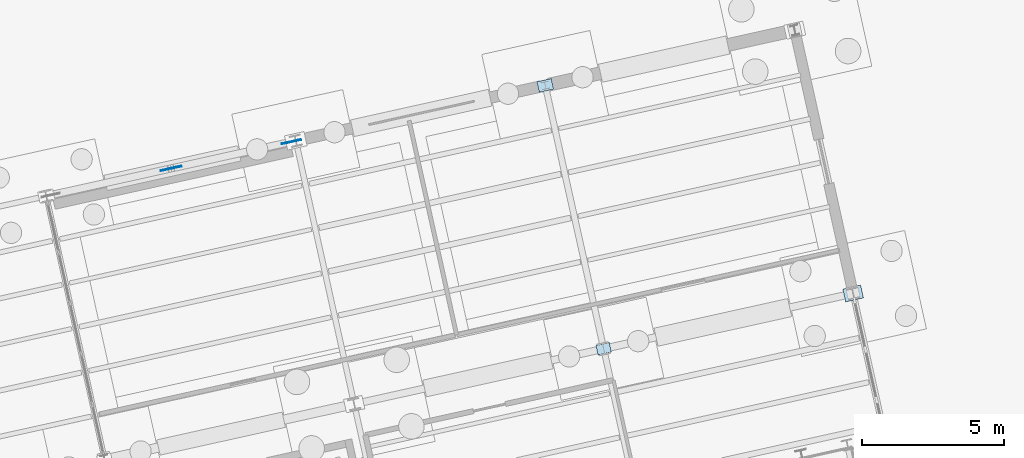
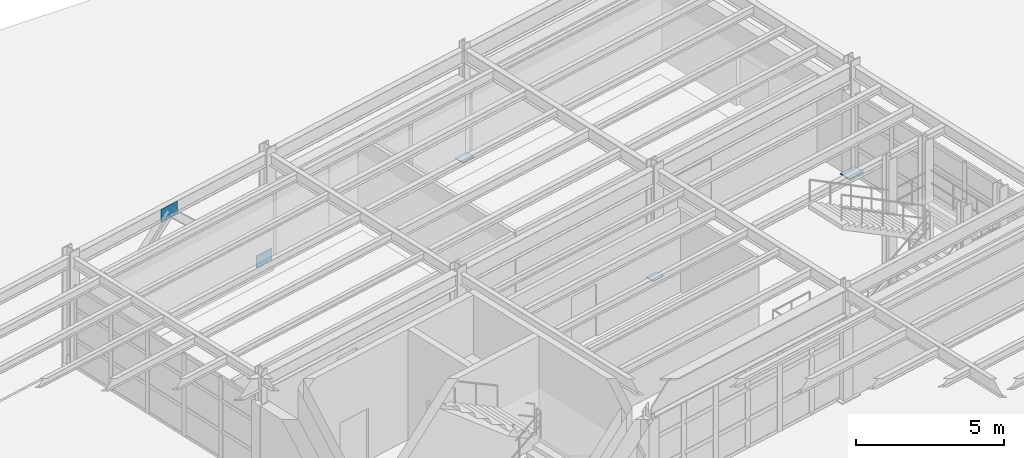
# One storey, part 83 of 108: 5 plates.
"""IFC4 building model written with IfcOpenShell, lengths in metres."""

from ifc_helpers import new_model, si_unit, direction, frame, origin, origin_2d, place, context, subcontext, project, spatial, rectangle, extrude, material, layer, layer_set, type_object, element, save


model = new_model("IFC4")

# Units and contexts
model_context = context("Model", 3, precision=1e-05, world=origin(), true_north=direction((0.0, 1.0)))
body_context = subcontext(model_context, "Body", "Model", "MODEL_VIEW")
ifc_project = project(units=[si_unit("LENGTHUNIT", "METRE"), si_unit("AREAUNIT", "SQUARE_METRE"), si_unit("VOLUMEUNIT", "CUBIC_METRE"), si_unit("PLANEANGLEUNIT", "RADIAN"), si_unit("MASSUNIT", "GRAM", prefix="KILO")], contexts=[model_context])

# Site, building, storey
site_placement = place(None, origin())
site = spatial("IfcSite", under=ifc_project, at=site_placement, CompositionType="ELEMENT")
building_placement = place(site_placement, origin())
building = spatial("IfcBuilding", under=site, at=building_placement, Name="Vireo Bluff Cable Station", CompositionType="ELEMENT")
storey_placement = place(building_placement, origin())
storey = spatial("IfcBuildingStorey", under=building, at=storey_placement, Name="L00", CompositionType="ELEMENT", Elevation=0.0)

# Plates
ifc_material = material(Name="Steel ASTM A572 Gr. 50", Category="steel")
ifc_layer_1 = layer(ifc_material, 0.02490234375, Name="Steel ASTM A572 Gr. 50")
ifc_layer_set_1 = layer_set([ifc_layer_1], Name="Steel ASTM A572 Gr. 50")
plate_type_1 = type_object("IfcPlateType", Name="BASEPLATE-480X340X25", PredefinedType="SHEET", material=ifc_layer_set_1)
plate_1_placement = place(storey_placement, frame((148.24755859375, 98.3935546875, 0.0), z_axis=(0.0, 0.0, 1.0), x_axis=(0.97629600712, 0.216439613938, 0.0)))
element("IfcPlate", 1, at=plate_1_placement, inside=storey, type_object=plate_type_1, Name="V2 column baseplate 80", PredefinedType="SHEET", context=body_context, shape_type="SweptSolid", body=[
    extrude(rectangle(XDim=0.47998046875, YDim=0.340087890625, at=origin_2d()), origin(), (0.0, 0.0, 1.0), 0.02490234375),
])
ifc_layer_2 = layer(ifc_material, 0.028076171875, Name="Steel ASTM A572 Gr. 50")
ifc_layer_set_2 = layer_set([ifc_layer_2], Name="Steel ASTM A572 Gr. 50")
plate_type_2 = type_object("IfcPlateType", Name="BASEPLATE-520X380X28", PredefinedType="SHEET", material=ifc_layer_set_2)
plate_2_placement = place(storey_placement, frame((146.19140625, 107.668212890625, 0.0), z_axis=(0.0, 0.0, 1.0), x_axis=(0.97629600712, 0.216439613938, 0.0)))
element("IfcPlate", 2, at=plate_2_placement, inside=storey, type_object=plate_type_2, Name="V2 column baseplate 81", PredefinedType="SHEET", context=body_context, shape_type="SweptSolid", body=[
    extrude(rectangle(XDim=0.52001953125, YDim=0.3798828125, at=origin_2d()), origin(), (0.0, 0.0, 1.0), 0.028076171875),
])
ifc_layer_3 = layer(ifc_material, 0.0400390625, Name="Steel ASTM A572 Gr. 50")
ifc_layer_set_3 = layer_set([ifc_layer_3], Name="Steel ASTM A572 Gr. 50")
plate_type_3 = type_object("IfcPlateType", Name="BASEPLATE-640X460X40", PredefinedType="SHEET", material=ifc_layer_set_3)
plate_3_placement = place(storey_placement, frame((157.034423828125, 100.341552734375, 0.0), z_axis=(0.0, 0.0, 1.0), x_axis=(0.97629600712, 0.216439613938, 0.0)))
element("IfcPlate", 3, at=plate_3_placement, inside=storey, type_object=plate_type_3, Name="V2 column baseplate 84", PredefinedType="SHEET", context=body_context, shape_type="SweptSolid", body=[
    extrude(rectangle(XDim=0.639892578125, YDim=0.4599609375, at=origin_2d()), origin(), (0.0, 0.0, 1.0), 0.0400390625),
])
ifc_layer_4 = layer(ifc_material, 0.030029296875, Name="Steel ASTM A572 Gr. 50")
ifc_layer_set_4 = layer_set([ifc_layer_4], Name="Steel ASTM A572 Gr. 50")
plate_type_4 = type_object("IfcPlateType", Name="GUSSET-700X480X30", PredefinedType="USERDEFINED", material=ifc_layer_set_4)
plate_4_placement = place(storey_placement, frame((137.24853515625, 105.685791015625, -0.02001953125), z_axis=(0.0, 0.0, 1.0), x_axis=(0.97629600712, 0.216439613938, 0.0)))
element("IfcPlate", 4, at=plate_4_placement, inside=storey, type_object=plate_type_4, Name="V2 L00 brace base gusset plate 87", ObjectType="GUSSET PLATE", PredefinedType="USERDEFINED", context=body_context, shape_type="SweptSolid", body=[
    extrude(rectangle(XDim=0.699951171875, YDim=0.030029296875, at=origin_2d()), origin(), (0.0, 0.0, 1.0), 0.47998046875),
])
ifc_layer_5 = layer(ifc_material, 0.031982421875, Name="Steel ASTM A572 Gr. 50")
ifc_layer_set_5 = layer_set([ifc_layer_5], Name="Steel ASTM A572 Gr. 50")
plate_type_5 = type_object("IfcPlateType", Name="GUSSET-750X520X32", PredefinedType="USERDEFINED", material=ifc_layer_set_5)
plate_5_placement = place(storey_placement, frame((133.011474609375, 104.746337890625, 3.919921875), z_axis=(0.0, 0.0, 1.0), x_axis=(0.97629600712, 0.216439613938, 0.0)))
element("IfcPlate", 5, at=plate_5_placement, inside=storey, type_object=plate_type_5, Name="V2 L00 chevron gusset plate 88", ObjectType="GUSSET PLATE", PredefinedType="USERDEFINED", context=body_context, shape_type="SweptSolid", body=[
    extrude(rectangle(XDim=0.75, YDim=0.031982421875, at=origin_2d()), origin(), (0.0, 0.0, 1.0), 0.52001953125),
])

save(model, "model.ifc")
